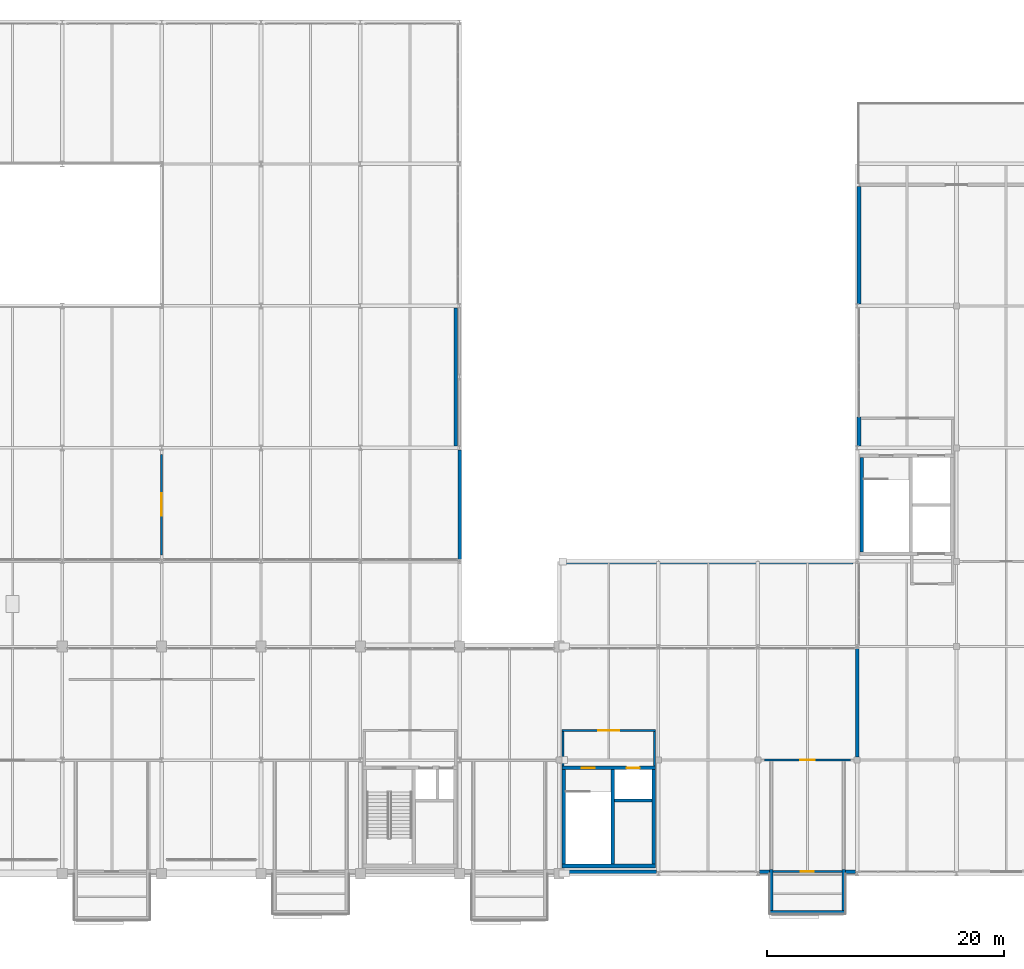
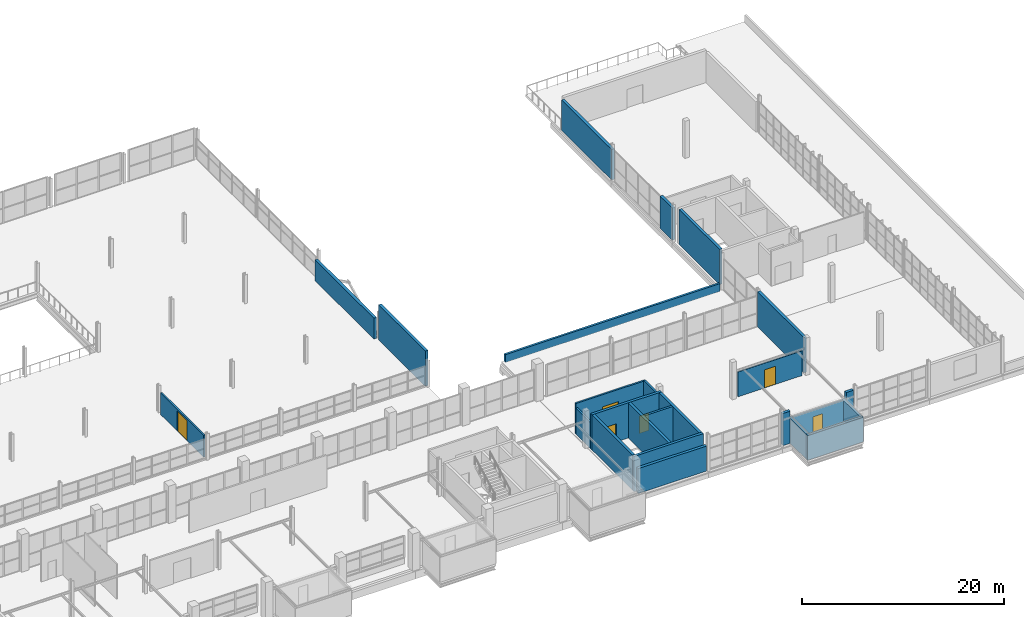
# One storey, part 94 of 103: 25 walls, 6 doors, 6 openings.
"""IFC4 building model written with IfcOpenShell, lengths in metres."""

from ifc_helpers import new_model, si_unit, direction, frame, frame_2d, origin, place, context, subcontext, project, spatial, rectangle, extrude, material, layer, layer_set, type_object, element, fill, save


model = new_model("IFC4")

# Units and contexts
model_context = context("Model", 3, precision=1e-05, world=origin(), true_north=direction((0.0, 1.0)))
body_context = subcontext(model_context, "Body", "Model", "MODEL_VIEW")
ifc_project = project(units=[si_unit("LENGTHUNIT", "METRE"), si_unit("AREAUNIT", "SQUARE_METRE"), si_unit("VOLUMEUNIT", "CUBIC_METRE"), si_unit("PLANEANGLEUNIT", "RADIAN"), si_unit("MASSUNIT", "GRAM", prefix="KILO")], contexts=[model_context])

# Site, building, storey
site_placement = place(None, origin())
site = spatial("IfcSite", under=ifc_project, at=site_placement, CompositionType="ELEMENT")
building_placement = place(site_placement, origin())
building = spatial("IfcBuilding", under=site, at=building_placement, Name="Veltarok Museum of Natural Sciences", CompositionType="ELEMENT")
storey_placement = place(building_placement, frame((0.0, 0.0, 21.89990234375)))
storey = spatial("IfcBuildingStorey", under=building, at=storey_placement, Name="L04", CompositionType="ELEMENT", Elevation=21.89990234375)

# Walls
ifc_material_1 = material(Name="Precast concrete C40/50", Category="concrete")
ifc_layer_1 = layer(ifc_material_1, 0.280029296875)
ifc_layer_set_1 = layer_set([ifc_layer_1], Name="Precast concrete C40/50")
wall_type_1 = type_object("IfcWallType", Name="Cabinet Box Insulated Backup Wall 280", PredefinedType="SOLIDWALL", material=ifc_layer_set_1)
wall_1_placement = place(storey_placement, frame((125.0, -3.260009765625, 0.0), z_axis=(0.0, 0.0, 1.0), x_axis=(1.0, 0.0, 0.0)))
element("IfcWall", 1, at=wall_1_placement, inside=storey, type_object=wall_type_1, Name="Cabinet Box Wall DB-24-S", PredefinedType="SOLIDWALL", context=body_context, shape_type="SweptSolid", body=[
    extrude(rectangle(XDim=6.39990234375, YDim=0.280029296875, at=frame_2d((3.199951171875, 0.0))), origin(), (0.0, 0.0, 1.0), 2.989990234375),
])
for number, where, z_axis, x_axis, name in (
    (2, (125.139892578125, 0.360107421875, 0.0), (0.0, 0.0, 1.0), (0.0, -1.0, 0.0), "Cabinet Box Wall DB-24-W"),
    (3, (131.260009765625, -3.1201171875, 0.0), (0.0, 0.0, 1.0), (0.0, 1.0, 0.0), "Cabinet Box Wall DB-24-E"),
):
    element("IfcWall", number, at=place(storey_placement, frame(where, z_axis=z_axis, x_axis=x_axis)), inside=storey, type_object=wall_type_1, Name=name, PredefinedType="SOLIDWALL", context=body_context, shape_type="SweptSolid", body=[
        extrude(rectangle(XDim=3.480224609375, YDim=0.280029296875, at=frame_2d((1.740234375, 0.0))), origin(), (0.0, 0.0, 1.0), 2.989990234375),
    ])

# Wall, opening, door
ifc_material_2 = material(Name="Acoustic gypsum and mineral wool")
ifc_layer_2 = layer(ifc_material_2, 0.14990234375)
ifc_layer_set_2 = layer_set([ifc_layer_2], Name="Acoustic gypsum and mineral wool")
wall_type_2 = type_object("IfcWallType", Name="Conservation Laboratory Partition 150", PredefinedType="PARTITIONING", material=ifc_layer_set_2)
wall_2_placement = place(storey_placement, frame((124.550048828125, 9.60009765625, 0.0), z_axis=(0.0, 0.0, 1.0), x_axis=(1.0, 0.0, 0.0)))
wall_2 = element("IfcWall", 4, at=wall_2_placement, inside=storey, type_object=wall_type_2, Name="Interior Partition L04-056", PredefinedType="PARTITIONING", context=body_context, shape_type="SweptSolid", body=[
    extrude(rectangle(XDim=7.300048828125, YDim=0.14990234375, at=frame_2d((3.64990234375, 0.0))), origin(), (0.0, 0.0, 1.0), 2.9921875),
])
opening_1_placement = place(wall_2_placement, frame((3.02490234375, 0.0, 0.0)))
opening_1 = element("IfcOpeningElement", 5, at=opening_1_placement, cuts=wall_2, Name="Opening D-L04-182", PredefinedType="OPENING", context=body_context, shape_type="SweptSolid", body=[
    extrude(rectangle(XDim=1.25, YDim=2.199951171875, at=frame_2d((0.625, 1.10009765625))), frame((0.0, 0.0849609375, 0.0), z_axis=(0.0, -1.0, 0.0), x_axis=(1.0, 0.0, 0.0)), (0.0, 0.0, 1.0), 0.169921875),
])
ifc_material_3 = material(Name="HPL laboratory acoustic door")
door_type_1 = type_object("IfcDoorType", Name="Laboratory Leaf-and-Half Door 1250x2200", OperationType="NOTDEFINED", PredefinedType="DOOR", material=ifc_material_3)
door_1_placement = place(opening_1_placement, origin())
door_1 = element("IfcDoor", 6, at=door_1_placement, inside=storey, type_object=door_type_1, Name="Interior Door D-L04-182", OperationType="SINGLE_SWING_LEFT", OverallHeight=2.199951171875, OverallWidth=1.25, PredefinedType="DOOR", context=body_context, shape_type="SweptSolid", body=[
    extrude(rectangle(XDim=1.25, YDim=2.199951171875, at=frame_2d((0.625, 1.10009765625))), frame((0.0, 0.02490234375, 0.0), z_axis=(0.0, -1.0, 0.0), x_axis=(1.0, 0.0, 0.0)), (0.0, 0.0, 1.0), 0.050048828125),
])
fill(opening_1, door_1)

ifc_layer_3 = layer(ifc_material_2, 0.179931640625)
ifc_layer_set_3 = layer_set([ifc_layer_3], Name="Acoustic gypsum and mineral wool")
wall_type_3 = type_object("IfcWallType", Name="Exhibition Gallery Partition 180", PredefinedType="PARTITIONING", material=ifc_layer_set_3)
wall_3_placement = place(storey_placement, frame((125.280029296875, 0.179931640625, 0.0), z_axis=(0.0, 0.0, 1.0), x_axis=(1.0, 0.0, 0.0)))
wall_3 = element("IfcWall", 7, at=wall_3_placement, inside=storey, type_object=wall_type_3, Name="Cabinet Threshold Partition DB-24", PredefinedType="PARTITIONING", context=body_context, shape_type="SweptSolid", body=[
    extrude(rectangle(XDim=5.840087890625, YDim=0.179931640625, at=frame_2d((2.919921875, 0.0))), origin(), (0.0, 0.0, 1.0), 2.989990234375),
])
opening_2_placement = place(wall_3_placement, frame((2.3701171875, 0.0, 0.0)))
opening_2 = element("IfcOpeningElement", 8, at=opening_2_placement, cuts=wall_3, Name="Opening D-L04-095", PredefinedType="OPENING", context=body_context, shape_type="SweptSolid", body=[
    extrude(rectangle(XDim=1.10009765625, YDim=2.199951171875, at=frame_2d((0.550048828125, 1.10009765625))), frame((0.0, 0.10009765625, 0.0), z_axis=(0.0, -1.0, 0.0), x_axis=(1.0, 0.0, 0.0)), (0.0, 0.0, 1.0), 0.199951171875),
])
ifc_material_4 = material(Name="Airtight powder-coated steel", Category="steel")
door_type_2 = type_object("IfcDoorType", Name="Cabinet Box Conservation Door 1100x2200", OperationType="NOTDEFINED", PredefinedType="DOOR", material=ifc_material_4)
door_2_placement = place(opening_2_placement, origin())
door_2 = element("IfcDoor", 9, at=door_2_placement, inside=storey, type_object=door_type_2, Name="Cabinet Conservation Door DB-24", OperationType="SINGLE_SWING_LEFT", OverallHeight=2.199951171875, OverallWidth=1.10009765625, PredefinedType="DOOR", context=body_context, shape_type="SweptSolid", body=[
    extrude(rectangle(XDim=1.10009765625, YDim=2.199951171875, at=frame_2d((0.550048828125, 1.10009765625))), frame((0.0, 0.02490234375, 0.0), z_axis=(0.0, -1.0, 0.0), x_axis=(1.0, 0.0, 0.0)), (0.0, 0.0, 1.0), 0.050048828125),
])
fill(opening_2, door_2)

wall_4_placement = place(storey_placement, frame((73.60009765625, 26.949951171875, 0.0), z_axis=(0.0, 0.0, 1.0), x_axis=(0.0, 1.0, 0.0)))
wall_4 = element("IfcWall", 10, at=wall_4_placement, inside=storey, type_object=wall_type_3, Name="Interior Partition L04-055", PredefinedType="PARTITIONING", context=body_context, shape_type="SweptSolid", body=[
    extrude(rectangle(XDim=8.5, YDim=0.179931640625, at=frame_2d((4.25, 0.0))), origin(), (0.0, 0.0, 1.0), 2.64208984375),
])
opening_3_placement = place(wall_4_placement, frame((3.300048828125, 0.0, 0.0)))
opening_3 = element("IfcOpeningElement", 11, at=opening_3_placement, cuts=wall_4, Name="Opening D-L04-181", PredefinedType="OPENING", context=body_context, shape_type="SweptSolid", body=[
    extrude(rectangle(XDim=1.89990234375, YDim=2.449951171875, at=frame_2d((0.949951171875, 1.22509765625))), frame((0.0, 0.10009765625, 0.0), z_axis=(0.0, -1.0, 0.0), x_axis=(1.0, 0.0, 0.0)), (0.0, 0.0, 1.0), 0.199951171875),
])
ifc_material_5 = material(Name="Solid European oak and acoustic glass", Category="glass")
door_type_3 = type_object("IfcDoorType", Name="Exhibition Hall Double Door 1900x2450", OperationType="NOTDEFINED", PredefinedType="DOOR", material=ifc_material_5)
door_3_placement = place(opening_3_placement, origin())
door_3 = element("IfcDoor", 12, at=door_3_placement, inside=storey, type_object=door_type_3, Name="Interior Door D-L04-181", OperationType="DOUBLE_DOOR_SINGLE_SWING", OverallHeight=2.449951171875, OverallWidth=1.89990234375, PredefinedType="DOOR", context=body_context, shape_type="SweptSolid", body=[
    extrude(rectangle(XDim=1.89990234375, YDim=2.449951171875, at=frame_2d((0.949951171875, 1.22509765625))), frame((0.0, 0.02490234375, 0.0), z_axis=(0.0, -1.0, 0.0), x_axis=(1.0, 0.0, 0.0)), (0.0, 0.0, 1.0), 0.050048828125),
])
fill(opening_3, door_3)

ifc_material_6 = material(Name="Concrete C35/45", Category="concrete")
ifc_layer_4 = layer(ifc_material_6, 0.199951171875)
ifc_layer_set_4 = layer_set([ifc_layer_4], Name="Concrete C35/45")
wall_type_4 = type_object("IfcWallType", Name="Firefighting Lobby Compartment Wall 200", PredefinedType="SOLIDWALL", material=ifc_layer_set_4)
wall_5_placement = place(storey_placement, frame((107.429931640625, 12.10009765625, 0.0), z_axis=(0.0, 0.0, 1.0), x_axis=(1.0, 0.0, 0.0)))
wall_5 = element("IfcWall", 13, at=wall_5_placement, inside=storey, type_object=wall_type_4, Name="Firefighting Lobby Wall C4 L04 N", PredefinedType="SOLIDWALL", context=body_context, shape_type="SweptSolid", body=[
    extrude(rectangle(XDim=7.940185546875, YDim=0.199951171875, at=frame_2d((3.97021484375, 0.0))), origin(), (0.0, 0.0, 1.0), 3.672119140625),
])
opening_4_placement = place(wall_5_placement, frame((3.070068359375, 0.0, 0.0)))
opening_4 = element("IfcOpeningElement", 14, at=opening_4_placement, cuts=wall_5, Name="Opening D-L04-064", PredefinedType="OPENING", context=body_context, shape_type="SweptSolid", body=[
    extrude(rectangle(XDim=1.800048828125, YDim=2.199951171875, at=frame_2d((0.89990234375, 1.10009765625))), frame((0.0, 0.10986328125, 0.0), z_axis=(0.0, -1.0, 0.0), x_axis=(1.0, 0.0, 0.0)), (0.0, 0.0, 1.0), 0.219970703125),
])
ifc_material_7 = material(Name="Fire-rated steel and vision glass", Category="steel")
door_type_4 = type_object("IfcDoorType", Name="Fire Lobby Double Door 1800x2200", OperationType="NOTDEFINED", PredefinedType="DOOR", material=ifc_material_7)
door_4_placement = place(opening_4_placement, origin())
door_4 = element("IfcDoor", 15, at=door_4_placement, inside=storey, type_object=door_type_4, Name="Firefighting Lobby Entrance Door C4 L04", OperationType="DOUBLE_DOOR_SINGLE_SWING", OverallHeight=2.199951171875, OverallWidth=1.800048828125, PredefinedType="DOOR", context=body_context, shape_type="SweptSolid", body=[
    extrude(rectangle(XDim=1.800048828125, YDim=2.199951171875, at=frame_2d((0.89990234375, 1.10009765625))), frame((0.0, 0.02490234375, 0.0), z_axis=(0.0, -1.0, 0.0), x_axis=(1.0, 0.0, 0.0)), (0.0, 0.0, 1.0), 0.050048828125),
])
fill(opening_4, door_4)

# Walls
wall_6_placement = place(storey_placement, frame((107.530029296875, 9.10009765625, 0.0), z_axis=(0.0, 0.0, 1.0), x_axis=(0.0, 1.0, 0.0)))
element("IfcWall", 16, at=wall_6_placement, inside=storey, type_object=wall_type_4, Name="Firefighting Lobby Wall C4 L04 W", PredefinedType="SOLIDWALL", context=body_context, shape_type="SweptSolid", body=[
    extrude(rectangle(XDim=2.89990234375, YDim=0.199951171875, at=frame_2d((1.449951171875, 0.0))), origin(), (0.0, 0.0, 1.0), 3.1220703125),
])
wall_7_placement = place(storey_placement, frame((115.27001953125, 12.0, 0.0), z_axis=(0.0, 0.0, 1.0), x_axis=(0.0, -1.0, 0.0)))
element("IfcWall", 17, at=wall_7_placement, inside=storey, type_object=wall_type_4, Name="Firefighting Lobby Wall C4 L04 E", PredefinedType="SOLIDWALL", context=body_context, shape_type="SweptSolid", body=[
    extrude(rectangle(XDim=2.89990234375, YDim=0.199951171875, at=frame_2d((1.449951171875, 0.0))), origin(), (0.0, 0.0, 1.0), 3.772216796875),
])
ifc_layer_5 = layer(ifc_material_1, 0.239990234375)
ifc_layer_set_5 = layer_set([ifc_layer_5], Name="Precast concrete C40/50")
wall_type_5 = type_object("IfcWallType", Name="Flat Roof Concrete Parapet Wall 240", PredefinedType="PARAPET", material=ifc_layer_set_5)
wall_8_placement = place(storey_placement, frame((107.550048828125, 26.280029296875, 0.0), z_axis=(0.0, 0.0, 1.0), x_axis=(1.0, 0.0, 0.0)))
element("IfcWall", 18, at=wall_8_placement, inside=storey, type_object=wall_type_5, Name="Roof Parapet Wall L04-15", PredefinedType="PARAPET", context=body_context, shape_type="SweptSolid", body=[
    extrude(rectangle(XDim=24.5, YDim=0.239990234375, at=frame_2d((12.25, 0.0))), origin(), (0.0, 0.0, 1.0), 0.9501953125),
])
ifc_layer_6 = layer(ifc_material_1, 0.320068359375)
ifc_layer_set_6 = layer_set([ifc_layer_6], Name="Precast concrete C40/50")
wall_type_6 = type_object("IfcWallType", Name="Insulated Precast Facade Wall 320", PredefinedType="SOLIDWALL", material=ifc_layer_set_6)
wall_9_placement = place(storey_placement, frame((107.625, 0.159912109375, 0.0), z_axis=(0.0, 0.0, 1.0), x_axis=(1.0, 0.0, 0.0)))
element("IfcWall", 19, at=wall_9_placement, inside=storey, type_object=wall_type_6, Name="Core C4 South Facade Wall L04", PredefinedType="SOLIDWALL", context=body_context, shape_type="SweptSolid", body=[
    extrude(rectangle(XDim=7.824951171875, YDim=0.320068359375, at=frame_2d((3.91259765625, 0.0))), origin(), (0.0, 0.0, 1.0), 3.02001953125),
])
for number, where, z_axis, x_axis, name in (
    (20, (124.14990234375, 0.159912109375, 0.0), (0.0, 0.0, 1.0), (1.0, 0.0, 0.0), "V5 Cabinet Collar Wall L04 15-16L"),
    (21, (131.39990234375, 0.159912109375, 0.0), (0.0, 0.0, 1.0), (1.0, 0.0, 0.0), "V5 Cabinet Collar Wall L04 15-16R"),
):
    element("IfcWall", number, at=place(storey_placement, frame(where, z_axis=z_axis, x_axis=x_axis)), inside=storey, type_object=wall_type_6, Name=name, PredefinedType="SOLIDWALL", context=body_context, shape_type="SweptSolid", body=[
        extrude(rectangle(XDim=0.85009765625, YDim=0.320068359375, at=frame_2d((0.425048828125, 0.0))), origin(), (0.0, 0.0, 1.0), 3.880126953125),
    ])
wall_10_placement = place(storey_placement, frame((132.56005859375, 38.60009765625, 0.0), z_axis=(0.0, 0.0, 1.0), x_axis=(0.0, -1.0, 0.0)))
element("IfcWall", 22, at=wall_10_placement, inside=storey, type_object=wall_type_6, Name="Core C5 West Courtyard Wall L04", PredefinedType="SOLIDWALL", context=body_context, shape_type="SweptSolid", body=[
    extrude(rectangle(XDim=2.43017578125, YDim=0.320068359375, at=frame_2d((1.215087890625, 0.0))), origin(), (0.0, 0.0, 1.0), 3.880126953125),
])
wall_11_placement = place(storey_placement, frame((132.56005859375, 48.169921875, 0.0), z_axis=(0.0, 0.0, 1.0), x_axis=(0.0, 1.0, 0.0)))
element("IfcWall", 23, at=wall_11_placement, inside=storey, type_object=wall_type_6, Name="V5 West Setback Return Wall L04", PredefinedType="SOLIDWALL", context=body_context, shape_type="SweptSolid", body=[
    extrude(rectangle(XDim=9.91015625, YDim=0.320068359375, at=frame_2d((4.955078125, 0.0))), origin(), (0.0, 0.0, 1.0), 3.68212890625),
])
wall_12_placement = place(storey_placement, frame((98.4599609375, 36.169921875, 0.0), z_axis=(0.0, 0.0, 1.0), x_axis=(0.0, 1.0, 0.0)))
element("IfcWall", 24, at=wall_12_placement, inside=storey, type_object=wall_type_6, Name="Central Hall Braced Bay Backup Wall L04 12/E-F", PredefinedType="SOLIDWALL", context=body_context, shape_type="SweptSolid", body=[
    extrude(rectangle(XDim=11.66015625, YDim=0.320068359375, at=frame_2d((5.830078125, 0.0))), origin(), (0.0, 0.0, 1.0), 2.52001953125),
])
ifc_material_8 = material(Name="Concrete C40/50", Category="concrete")
ifc_layer_7 = layer(ifc_material_8, 0.320068359375)
ifc_layer_set_7 = layer_set([ifc_layer_7], Name="Concrete C40/50")
wall_type_7 = type_object("IfcWallType", Name="Interior Lateral Concrete Shear Wall 320", PredefinedType="SHEAR", material=ifc_layer_set_7)
wall_13_placement = place(storey_placement, frame((98.800048828125, 26.570068359375, 0.0), z_axis=(0.0, 0.0, 1.0), x_axis=(0.0, 1.0, 0.0)))
element("IfcWall", 25, at=wall_13_placement, inside=storey, type_object=wall_type_7, Name="Interior Shear Wall SW1 L04", PredefinedType="SHEAR", context=body_context, shape_type="SweptSolid", body=[
    extrude(rectangle(XDim=9.260009765625, YDim=0.320068359375, at=frame_2d((4.6298828125, 0.0))), origin(), (0.0, 0.0, 1.0), 4.25),
])
wall_14_placement = place(storey_placement, frame((132.39990234375, 9.85009765625, 0.0), z_axis=(0.0, 0.0, 1.0), x_axis=(0.0, 1.0, 0.0)))
element("IfcWall", 26, at=wall_14_placement, inside=storey, type_object=wall_type_7, Name="Interior Shear Wall SW2 L04", PredefinedType="SHEAR", context=body_context, shape_type="SweptSolid", body=[
    extrude(rectangle(XDim=9.179931640625, YDim=0.320068359375, at=frame_2d((4.58984375, 0.0))), origin(), (0.0, 0.0, 1.0), 4.25),
])
ifc_layer_8 = layer(ifc_material_8, 0.25)
ifc_layer_set_8 = layer_set([ifc_layer_8], Name="Concrete C40/50")
wall_type_8 = type_object("IfcWallType", Name="Lift Shaft Concrete Shear Wall 250", PredefinedType="SHEAR", material=ifc_layer_set_8)
wall_15_placement = place(storey_placement, frame((111.8701171875, 6.175048828125, 0.0), z_axis=(0.0, 0.0, 1.0), x_axis=(1.0, 0.0, 0.0)))
element("IfcWall", 27, at=wall_15_placement, inside=storey, type_object=wall_type_8, Name="Lift Shaft Back Wall C4 L04", PredefinedType="SHEAR", context=body_context, shape_type="SweptSolid", body=[
    extrude(rectangle(XDim=3.199951171875, YDim=0.25, at=frame_2d((1.60009765625, 0.0))), origin(), (0.0, 0.0, 1.0), 4.25),
])
ifc_layer_9 = layer(ifc_material_8, 0.300048828125)
ifc_layer_set_9 = layer_set([ifc_layer_9], Name="Concrete C40/50")
wall_type_9 = type_object("IfcWallType", Name="Protected Core Shear Wall 300", PredefinedType="SHEAR", material=ifc_layer_set_9)
wall_16_placement = place(storey_placement, frame((107.429931640625, 0.64990234375, 0.0), z_axis=(0.0, 0.0, 1.0), x_axis=(1.0, 0.0, 0.0)))
element("IfcWall", 28, at=wall_16_placement, inside=storey, type_object=wall_type_9, Name="Core Shear Wall C4 L04 S", PredefinedType="SHEAR", context=body_context, shape_type="SweptSolid", body=[
    extrude(rectangle(XDim=7.940185546875, YDim=0.300048828125, at=frame_2d((3.97021484375, 0.0))), origin(), (0.0, 0.0, 1.0), 4.25),
])

# Wall, openings, doors
wall_17_placement = place(storey_placement, frame((115.3701171875, 8.949951171875, 0.0), z_axis=(0.0, 0.0, 1.0), x_axis=(-1.0, 0.0, 0.0)))
wall_17 = element("IfcWall", 29, at=wall_17_placement, inside=storey, type_object=wall_type_9, Name="Core Shear Wall C4 L04 N", PredefinedType="SHEAR", context=body_context, shape_type="SweptSolid", body=[
    extrude(rectangle(XDim=7.940185546875, YDim=0.300048828125, at=frame_2d((3.97021484375, 0.0))), origin(), (0.0, 0.0, 1.0), 4.25),
])
opening_5_placement = place(wall_17_placement, frame((5.169921875, 0.0, 0.0)))
opening_5 = element("IfcOpeningElement", 30, at=opening_5_placement, cuts=wall_17, Name="Opening D-L04-063", PredefinedType="OPENING", context=body_context, shape_type="SweptSolid", body=[
    extrude(rectangle(XDim=1.10009765625, YDim=2.199951171875, at=frame_2d((0.550048828125, 1.10009765625))), frame((0.0, 0.16015625, 0.0), z_axis=(0.0, -1.0, 0.0), x_axis=(1.0, 0.0, 0.0)), (0.0, 0.0, 1.0), 0.320068359375),
])
opening_6_placement = place(wall_17_placement, frame((1.35009765625, 0.0, 0.0)))
opening_6 = element("IfcOpeningElement", 31, at=opening_6_placement, cuts=wall_17, Name="Opening LD-L04-LP-04", PredefinedType="OPENING", context=body_context, shape_type="SweptSolid", body=[
    extrude(rectangle(XDim=1.10009765625, YDim=2.10009765625, at=frame_2d((0.550048828125, 1.050048828125))), frame((0.0, 0.16015625, 0.0), z_axis=(0.0, -1.0, 0.0), x_axis=(1.0, 0.0, 0.0)), (0.0, 0.0, 1.0), 0.320068359375),
])
ifc_material_9 = material(Name="Fire-rated painted steel", Category="steel")
door_type_5 = type_object("IfcDoorType", Name="Fire Core Single Escape Door 1100x2200", OperationType="NOTDEFINED", PredefinedType="DOOR", material=ifc_material_9)
door_5_placement = place(opening_5_placement, origin())
door_5 = element("IfcDoor", 32, at=door_5_placement, inside=storey, type_object=door_type_5, Name="Protected Stair Door ST-04 L04", OperationType="SINGLE_SWING_RIGHT", OverallHeight=2.199951171875, OverallWidth=1.10009765625, PredefinedType="DOOR", context=body_context, shape_type="SweptSolid", body=[
    extrude(rectangle(XDim=1.10009765625, YDim=2.199951171875, at=frame_2d((0.550048828125, 1.10009765625))), frame((0.0, 0.02490234375, 0.0), z_axis=(0.0, -1.0, 0.0), x_axis=(1.0, 0.0, 0.0)), (0.0, 0.0, 1.0), 0.050048828125),
])
fill(opening_5, door_5)
ifc_material_10 = material(Name="Brushed stainless steel", Category="steel")
door_type_6 = type_object("IfcDoorType", Name="Passenger and Firefighting Lift Landing Door 1100x2100", OperationType="SLIDING_TO_LEFT", PredefinedType="DOOR", material=ifc_material_10)
door_6_placement = place(opening_6_placement, origin())
door_6 = element("IfcDoor", 33, at=door_6_placement, inside=storey, type_object=door_type_6, Name="Sliding Lift Landing Door LD-L04-LP-04", OperationType="SLIDING_TO_LEFT", OverallHeight=2.10009765625, OverallWidth=1.10009765625, PredefinedType="DOOR", context=body_context, shape_type="SweptSolid", body=[
    extrude(rectangle(XDim=1.10009765625, YDim=2.10009765625, at=frame_2d((0.550048828125, 1.050048828125))), frame((0.0, 0.02490234375, 0.0), z_axis=(0.0, -1.0, 0.0), x_axis=(1.0, 0.0, 0.0)), (0.0, 0.0, 1.0), 0.050048828125),
])
fill(opening_6, door_6)

# Walls
for number, where, z_axis, x_axis, name in (
    (34, (107.580078125, 8.800048828125, 0.0), (0.0, 0.0, 1.0), (0.0, -1.0, 0.0), "Core Shear Wall C4 L04 W"),
    (35, (115.219970703125, 0.800048828125, 0.0), (0.0, 0.0, 1.0), (0.0, 1.0, 0.0), "Core Shear Wall C4 L04 E"),
    (36, (111.719970703125, 0.800048828125, 0.0), (0.0, 0.0, 1.0), (0.0, 1.0, 0.0), "Core Shear Wall C4 L04 DIV"),
    (37, (132.780029296875, 35.199951171875, 0.0), (0.0, 0.0, 1.0), (0.0, -1.0, 0.0), "Core Shear Wall C5 L04 W"),
):
    element("IfcWall", number, at=place(storey_placement, frame(where, z_axis=z_axis, x_axis=x_axis)), inside=storey, type_object=wall_type_9, Name=name, PredefinedType="SHEAR", context=body_context, shape_type="SweptSolid", body=[
        extrude(rectangle(XDim=8.0, YDim=0.300048828125, at=frame_2d((4.0, 0.0))), origin(), (0.0, 0.0, 1.0), 4.25),
    ])

save(model, "model.ifc")
